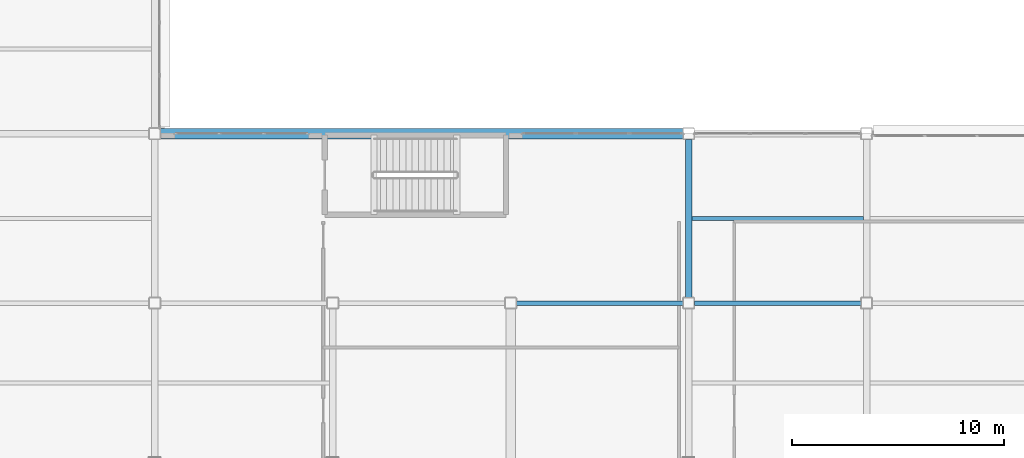
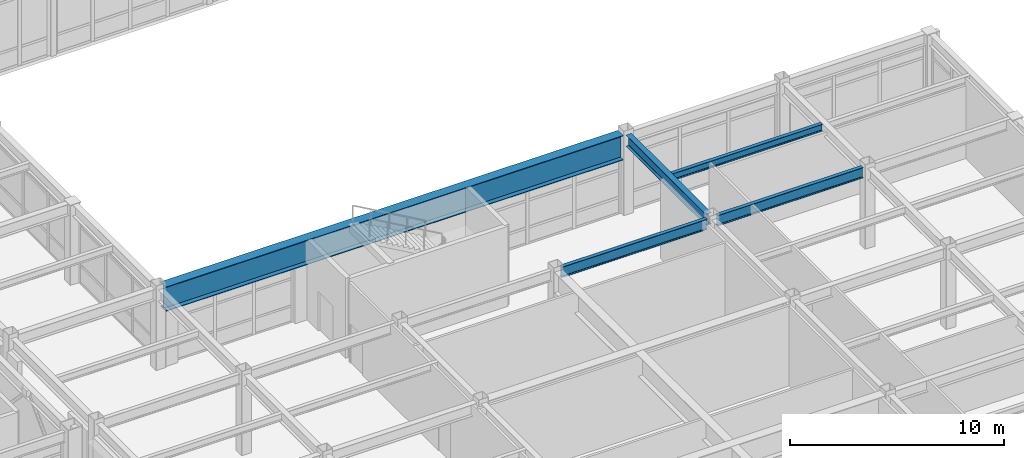
# One storey, part 53 of 154: 5 beams.
"""IFC4 building model written with IfcOpenShell, lengths in metres."""

from ifc_helpers import new_model, si_unit, direction, frame, origin, origin_2d, place, context, subcontext, project, spatial, i_section, extrude, material, material_profile, profile_set, type_object, element, save


model = new_model("IFC4")

# Units and contexts
model_context = context("Model", 3, precision=1e-05, world=origin(), true_north=direction((0.0, 1.0)))
body_context = subcontext(model_context, "Body", "Model", "MODEL_VIEW")
ifc_project = project(units=[si_unit("LENGTHUNIT", "METRE"), si_unit("AREAUNIT", "SQUARE_METRE"), si_unit("VOLUMEUNIT", "CUBIC_METRE"), si_unit("PLANEANGLEUNIT", "RADIAN"), si_unit("MASSUNIT", "GRAM", prefix="KILO")], contexts=[model_context])

# Site, building, storey
site_placement = place(None, origin())
site = spatial("IfcSite", under=ifc_project, at=site_placement, CompositionType="ELEMENT")
building_placement = place(site_placement, origin())
building = spatial("IfcBuilding", under=site, at=building_placement, Name="Kazehara Bluff Congress Hotel", CompositionType="ELEMENT")
storey_placement = place(building_placement, frame((0.0, 0.0, 10.199951171875)))
storey = spatial("IfcBuildingStorey", under=building, at=storey_placement, Name="L02", CompositionType="ELEMENT", Elevation=10.199951171875)

# Beams
ifc_material_1 = material(Name="Steel SN490B", Category="steel")
ifc_material_profile_1 = material_profile(ifc_material_1, i_section(OverallWidth=0.300048828125, OverallDepth=0.64990234375, WebThickness=0.011962890625, FlangeThickness=0.02001953125, FilletRadius=0.012939453125, at=origin_2d()))
ifc_profile_set_1 = profile_set([ifc_material_profile_1], Name="Steel SN490B")
beam_type_1 = type_object("IfcBeamType", Name="TP-G-03", PredefinedType="BEAM", material=ifc_profile_set_1)
beam_1_placement = place(storey_placement, frame((92.85009765625, 48.72509765625, 4.235107421875), z_axis=(0.0, 1.0, 0.0), x_axis=(-1.0, 0.0, 0.0)))
element("IfcBeam", 1, at=beam_1_placement, inside=storey, type_object=beam_type_1, Name="L02 girder G-03 83", PredefinedType="BEAM", context=body_context, shape_type="SweptSolid", body=[
    extrude(i_section(OverallWidth=0.300048828125, OverallDepth=0.64990234375, WebThickness=0.011962890625, FlangeThickness=0.02001953125, FilletRadius=0.012939453125, at=origin_2d()), origin(), (0.0, 0.0, 1.0), 7.449951171875),
])
ifc_material_2 = material(Name="Steel SN490B", Category="steel")
ifc_material_profile_2 = material_profile(ifc_material_2, i_section(OverallWidth=0.5, OverallDepth=1.39990234375, WebThickness=0.02197265625, FlangeThickness=0.035888671875, at=origin_2d()))
ifc_profile_set_2 = profile_set([ifc_material_profile_2], Name="Steel SN490B")
beam_type_2 = type_object("IfcBeamType", Name="TP-G-13", PredefinedType="BEAM", material=ifc_profile_set_2)
beam_2_placement = place(storey_placement, frame((67.925048828125, 56.449951171875, 3.860107421875), z_axis=(1.0, 0.0, 0.0), x_axis=(0.0, 1.0, 0.0)))
element("IfcBeam", 2, at=beam_2_placement, inside=storey, type_object=beam_type_2, Name="L02 girder G-13 125", PredefinedType="BEAM", context=body_context, shape_type="SweptSolid", body=[
    extrude(i_section(OverallWidth=0.5, OverallDepth=1.39990234375, WebThickness=0.02197265625, FlangeThickness=0.035888671875, at=origin_2d()), origin(), (0.0, 0.0, 1.0), 24.64990234375),
])
ifc_material_3 = material(Name="Steel SN400B", Category="steel")
ifc_material_profile_3 = material_profile(ifc_material_3, i_section(OverallWidth=0.199951171875, OverallDepth=0.39990234375, WebThickness=0.008056640625, FlangeThickness=0.012939453125, FilletRadius=0.012939453125, at=origin_2d()))
ifc_profile_set_3 = profile_set([ifc_material_profile_3], Name="Steel SN400B")
beam_type_3 = type_object("IfcBeamType", Name="TP-J-03", PredefinedType="JOIST", material=ifc_profile_set_3)
beam_3_placement = place(storey_placement, frame((93.0, 52.449951171875, 4.360107421875), z_axis=(1.0, 0.0, 0.0), x_axis=(0.0, 1.0, 0.0)))
element("IfcBeam", 3, at=beam_3_placement, inside=storey, type_object=beam_type_3, Name="L02 secondary joist J-03 21", PredefinedType="JOIST", context=body_context, shape_type="SweptSolid", body=[
    extrude(i_section(OverallWidth=0.199951171875, OverallDepth=0.39990234375, WebThickness=0.008056640625, FlangeThickness=0.012939453125, FilletRadius=0.012939453125, at=origin_2d()), origin(), (0.0, 0.0, 1.0), 8.10009765625),
])
ifc_material_4 = material(Name="Steel SN490B", Category="steel")
ifc_material_profile_4 = material_profile(ifc_material_4, i_section(OverallWidth=0.199951171875, OverallDepth=0.60009765625, WebThickness=0.010986328125, FlangeThickness=0.01708984375, FilletRadius=0.012939453125, at=origin_2d()))
ifc_profile_set_4 = profile_set([ifc_material_profile_4], Name="Steel SN490B")
beam_type_4 = type_object("IfcBeamType", Name="TP-SP-02", PredefinedType="SPANDREL", material=ifc_profile_set_4)
beam_4_placement = place(storey_placement, frame((84.72509765625, 48.449951171875, 4.260009765625), z_axis=(1.0, 0.0, 0.0), x_axis=(0.0, 1.0, 0.0)))
element("IfcBeam", 4, at=beam_4_placement, inside=storey, type_object=beam_type_4, Name="L02 girder SP-02 121", PredefinedType="SPANDREL", context=body_context, shape_type="SweptSolid", body=[
    extrude(i_section(OverallWidth=0.199951171875, OverallDepth=0.60009765625, WebThickness=0.010986328125, FlangeThickness=0.01708984375, FilletRadius=0.012939453125, at=origin_2d()), origin(), (0.0, 0.0, 1.0), 7.849853515625),
])
beam_5_placement = place(storey_placement, frame((93.125, 48.449951171875, 4.260009765625), z_axis=(1.0, 0.0, 0.0), x_axis=(0.0, 1.0, 0.0)))
element("IfcBeam", 5, at=beam_5_placement, inside=storey, type_object=beam_type_4, Name="L02 girder SP-02 122", PredefinedType="SPANDREL", context=body_context, shape_type="SweptSolid", body=[
    extrude(i_section(OverallWidth=0.199951171875, OverallDepth=0.60009765625, WebThickness=0.010986328125, FlangeThickness=0.01708984375, FilletRadius=0.012939453125, at=origin_2d()), origin(), (0.0, 0.0, 1.0), 7.85009765625),
])

save(model, "model.ifc")
